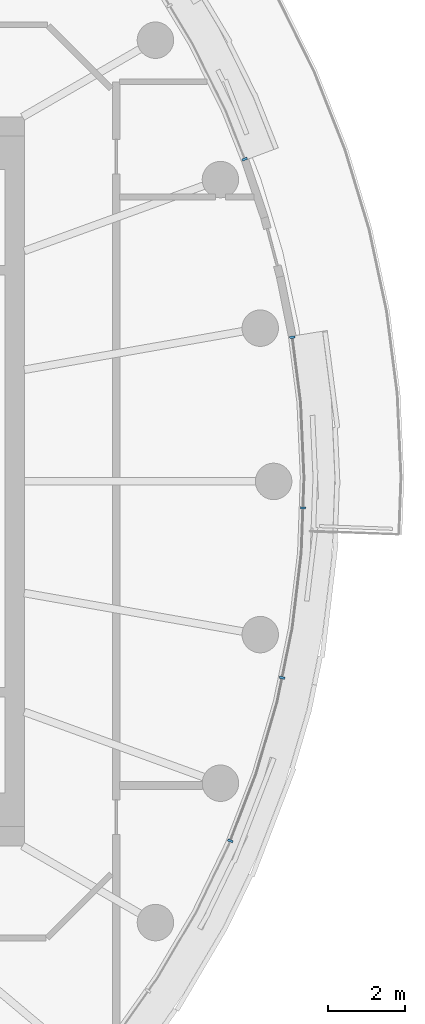
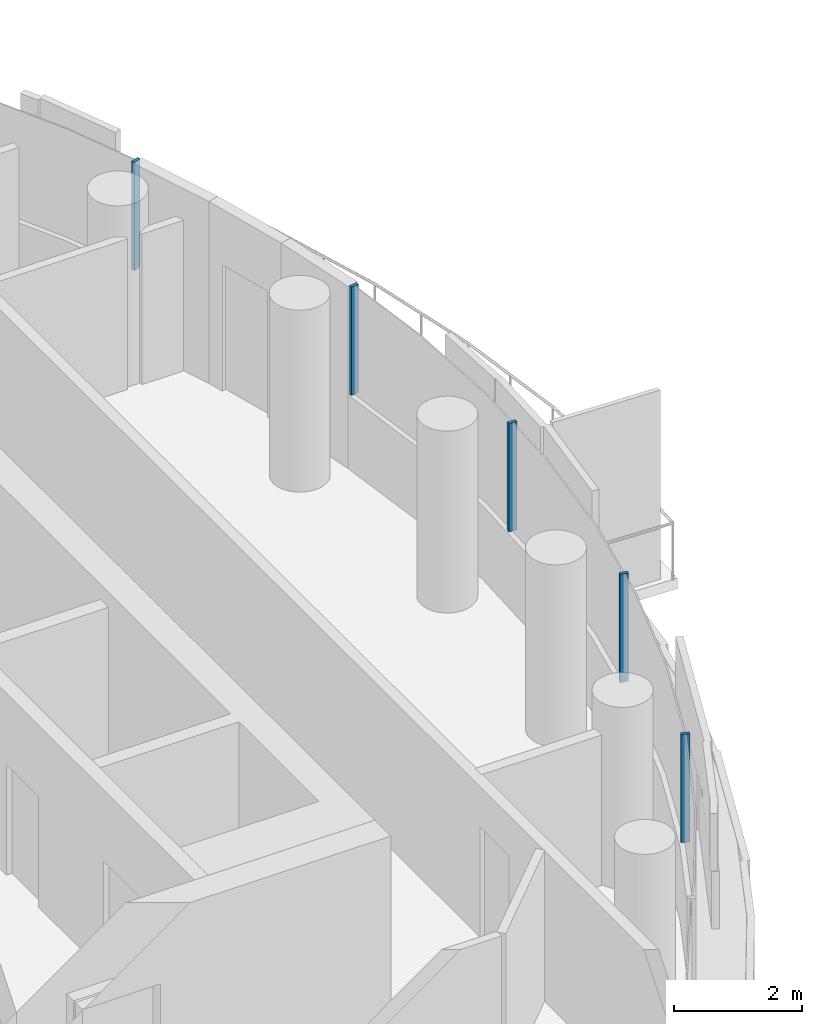
# One storey, part 14 of 34: 5 members, 1 element without a shape of its own.
"""IFC4 building model written with IfcOpenShell, lengths in metres."""

from ifc_helpers import new_model, si_unit, direction, frame, origin, origin_2d, place, context, subcontext, project, spatial, rectangle, extrude, material, layer, layer_set, material_profile, profile_set, type_object, element, aggregate, save


model = new_model("IFC4")

# Units and contexts
model_context = context("Model", 3, precision=1e-05, world=origin(), true_north=direction((0.0, 1.0)))
body_context = subcontext(model_context, "Body", "Model", "MODEL_VIEW")
ifc_project = project(units=[si_unit("LENGTHUNIT", "METRE"), si_unit("AREAUNIT", "SQUARE_METRE"), si_unit("VOLUMEUNIT", "CUBIC_METRE"), si_unit("PLANEANGLEUNIT", "RADIAN"), si_unit("MASSUNIT", "GRAM", prefix="KILO")], contexts=[model_context])

# Site, building, storey
site_placement = place(None, origin())
site = spatial("IfcSite", under=ifc_project, at=site_placement, CompositionType="ELEMENT")
building_placement = place(site_placement, origin())
building = spatial("IfcBuilding", under=site, at=building_placement, Name="Tamarind Cross Interchange Tower", CompositionType="ELEMENT")
storey_placement = place(building_placement, frame((0.0, 0.0, 193.300048828125)))
storey = spatial("IfcBuildingStorey", under=building, at=storey_placement, Name="L48", CompositionType="ELEMENT", Elevation=193.300048828125)

# Curtain wall, members
ifc_material = material(Name="Aluminium 6063-T6", Category="aluminium")
ifc_layer = layer(ifc_material, 0.139892578125)
ifc_layer_set = layer_set([ifc_layer], Name="Aluminium 6063-T6")
curtain_wall_type = type_object("IfcCurtainWallType", Name="Hotel curtain wall, 4.5 m bays", PredefinedType="NOTDEFINED", material=ifc_layer_set)
curtain_wall_placement = place(storey_placement, origin())
curtain_wall = element("IfcCurtainWall", 1, at=curtain_wall_placement, inside=storey, type_object=curtain_wall_type, Name="CWS-L48-06", PredefinedType="NOTDEFINED")
ifc_material_profile = material_profile(ifc_material, rectangle(XDim=0.06005859375, YDim=0.139892578125, at=origin_2d()), Name="Mullion CW2")
ifc_profile_set = profile_set([ifc_material_profile], Name="Aluminium 6063-T6")
member_type = type_object("IfcMemberType", Name="Mullion CW2", PredefinedType="MULLION", material=ifc_profile_set)
member_1_placement = place(storey_placement, frame((21.86962890625, -9.368408203125, 1.39990234375), z_axis=(0.0, 0.0, 1.0), x_axis=(0.359495435512, 0.933146843667, 0.0)))
member_1 = element("IfcMember", 2, at=member_1_placement, type_object=member_type, Name="CWM-L48-06-04", PredefinedType="MULLION", context=body_context, shape_type="SweptSolid", body=[
    extrude(rectangle(XDim=0.06005859375, YDim=0.139892578125, at=origin_2d()), origin(), (0.0, 0.0, 1.0), 2.06005859375),
])
member_2_placement = place(storey_placement, frame((23.220703125, -5.1181640625, 1.39990234375), z_axis=(0.0, 0.0, 1.0), x_axis=(0.201001463943, 0.9795909409, 0.0)))
member_2 = element("IfcMember", 3, at=member_2_placement, type_object=member_type, Name="CWM-L48-06-05", PredefinedType="MULLION", context=body_context, shape_type="SweptSolid", body=[
    extrude(rectangle(XDim=0.06005859375, YDim=0.139892578125, at=origin_2d()), origin(), (0.0, 0.0, 1.0), 2.06005859375),
])
member_3_placement = place(storey_placement, frame((23.76611328125, -0.69287109375, 1.39990234375), z_axis=(0.0, 0.0, 1.0), x_axis=(0.037024696392, 0.999314350871, 0.0)))
member_3 = element("IfcMember", 4, at=member_3_placement, type_object=member_type, Name="CWM-L48-06-06", PredefinedType="MULLION", context=body_context, shape_type="SweptSolid", body=[
    extrude(rectangle(XDim=0.06005859375, YDim=0.139892578125, at=origin_2d()), origin(), (0.0, 0.0, 1.0), 2.06005859375),
])
member_4_placement = place(storey_placement, frame((23.48779296875, 3.757568359375, 1.39990234375), z_axis=(0.0, 0.0, 1.0), x_axis=(-0.127962008342, 0.991779070368, 0.0)))
member_4 = element("IfcMember", 5, at=member_4_placement, type_object=member_type, Name="CWM-L48-06-07", PredefinedType="MULLION", context=body_context, shape_type="SweptSolid", body=[
    extrude(rectangle(XDim=0.06005859375, YDim=0.139892578125, at=origin_2d()), origin(), (0.0, 0.0, 1.0), 2.06005859375),
])
member_5_placement = place(storey_placement, frame((22.245849609375, 8.398193359375, 1.39990234375), z_axis=(0.0, 0.0, 1.0), x_axis=(-0.367513773146, 0.930018078613, 0.0)))
member_5 = element("IfcMember", 6, at=member_5_placement, type_object=member_type, Name="CWM-L48-06-08", PredefinedType="MULLION", context=body_context, shape_type="SweptSolid", body=[
    extrude(rectangle(XDim=0.06005859375, YDim=0.139892578125, at=origin_2d()), origin(), (0.0, 0.0, 1.0), 2.06005859375),
])
aggregate(curtain_wall, [member_1, member_2, member_3, member_4, member_5])

save(model, "model.ifc")
